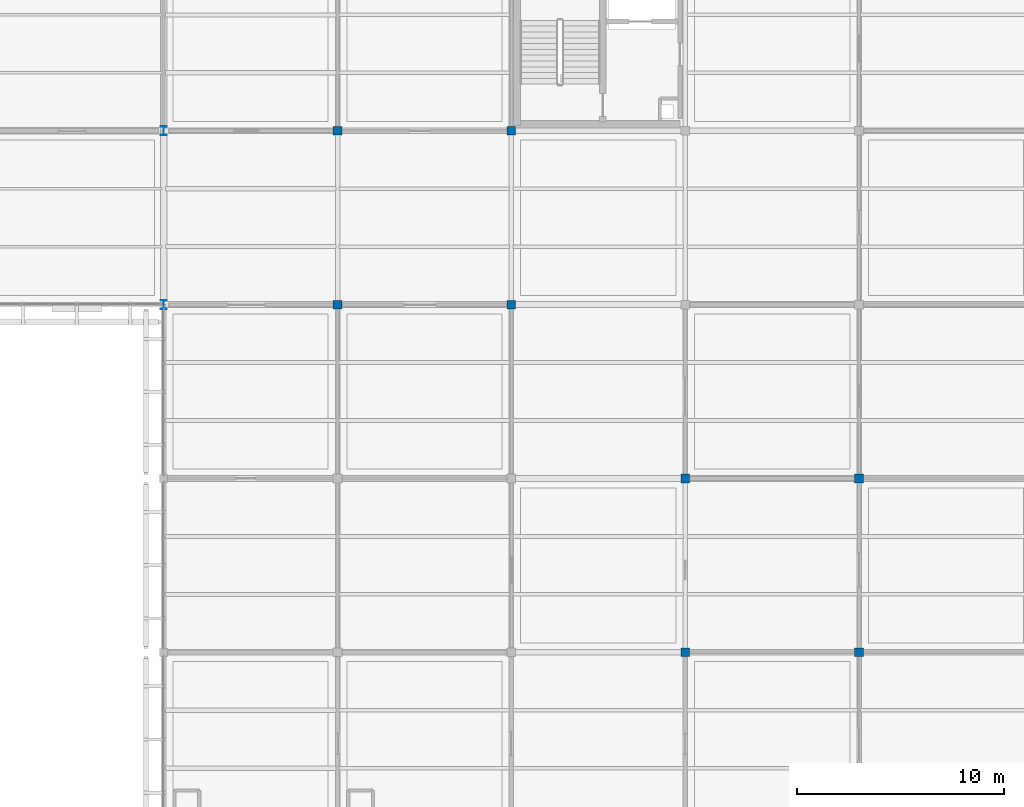
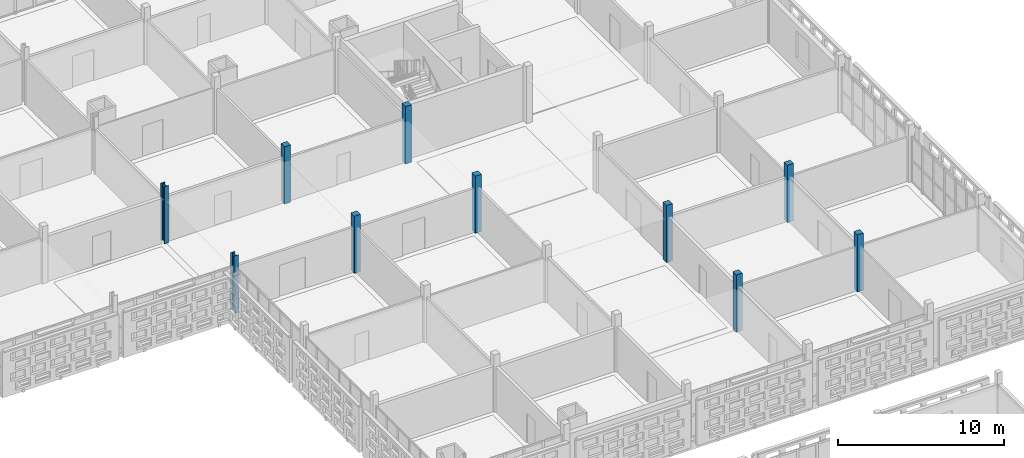
# One storey, part 12 of 166: 10 columns.
"""IFC4 building model written with IfcOpenShell, lengths in metres."""

from ifc_helpers import new_model, si_unit, direction, frame, origin, origin_2d, place, context, subcontext, project, spatial, rectangle, i_section, extrude, material, material_profile, profile_set, type_object, element, save


model = new_model("IFC4")

# Units and contexts
model_context = context("Model", 3, precision=1e-05, world=origin(), true_north=direction((0.0, 1.0)))
body_context = subcontext(model_context, "Body", "Model", "MODEL_VIEW")
ifc_project = project(units=[si_unit("LENGTHUNIT", "METRE"), si_unit("AREAUNIT", "SQUARE_METRE"), si_unit("VOLUMEUNIT", "CUBIC_METRE"), si_unit("PLANEANGLEUNIT", "RADIAN"), si_unit("MASSUNIT", "GRAM", prefix="KILO")], contexts=[model_context])

# Site, building, storey
site_placement = place(None, origin())
site = spatial("IfcSite", under=ifc_project, at=site_placement, CompositionType="ELEMENT")
building_placement = place(site_placement, origin())
building = spatial("IfcBuilding", under=site, at=building_placement, Name="Varnapada Polytechnic", CompositionType="ELEMENT")
storey_placement = place(building_placement, frame((0.0, 0.0, 9.60009765625)))
storey = spatial("IfcBuildingStorey", under=building, at=storey_placement, Name="L02", CompositionType="ELEMENT", Elevation=9.60009765625)

# Columns
ifc_material_1 = material(Name="Steel S355", Category="steel")
ifc_material_profile_1 = material_profile(ifc_material_1, i_section(OverallWidth=0.300048828125, OverallDepth=0.449951171875, WebThickness=0.013916015625, FlangeThickness=0.02587890625, FilletRadius=0.027099609375, at=origin_2d()), Name="HEB 450")
ifc_profile_set_1 = profile_set([ifc_material_profile_1], Name="Steel S355")
column_type_1 = type_object("IfcColumnType", Name="Column C-07 (HEB 450)", PredefinedType="COLUMN", material=ifc_profile_set_1)
column_1_placement = place(storey_placement, frame((134.39990234375, 92.39990234375, 0.0), z_axis=(0.0, 0.0, 1.0), x_axis=(1.0, 0.0, 0.0)))
element("IfcColumn", 1, at=column_1_placement, inside=storey, type_object=column_type_1, Name="L02 column 17/12", PredefinedType="COLUMN", context=body_context, shape_type="SweptSolid", body=[
    extrude(i_section(OverallWidth=0.300048828125, OverallDepth=0.449951171875, WebThickness=0.013916015625, FlangeThickness=0.02587890625, FilletRadius=0.027099609375, at=origin_2d()), origin(), (0.0, 0.0, 1.0), 4.199951171875),
])
ifc_material_2 = material(Name="Glulam GL32h", Category="wood")
ifc_material_profile_2 = material_profile(ifc_material_2, rectangle(XDim=0.419921875, YDim=0.419921875, at=origin_2d()), Name="GL 420x420")
ifc_profile_set_2 = profile_set([ifc_material_profile_2], Name="Glulam GL32h")
column_type_2 = type_object("IfcColumnType", Name="Column C-23 (GL 420x420)", PredefinedType="COLUMN", material=ifc_profile_set_2)
for number, where, z_axis, x_axis, name in (
    (2, (142.800048828125, 84.0, 0.0), (0.0, 0.0, 1.0), (1.0, 0.0, 0.0), "L02 column 18/11"),
    (3, (142.800048828125, 92.39990234375, 0.0), (0.0, 0.0, 1.0), (1.0, 0.0, 0.0), "L02 column 18/12"),
    (4, (151.199951171875, 84.0, 0.0), (0.0, 0.0, 1.0), (1.0, 0.0, 0.0), "L02 column 19/11"),
    (5, (151.199951171875, 92.39990234375, 0.0), (0.0, 0.0, 1.0), (1.0, 0.0, 0.0), "L02 column 19/12"),
    (6, (159.60009765625, 67.199951171875, 0.0), (0.0, 0.0, 1.0), (1.0, 0.0, 0.0), "L02 column 20/9"),
    (7, (159.60009765625, 75.60009765625, 0.0), (0.0, 0.0, 1.0), (1.0, 0.0, 0.0), "L02 column 20/10"),
    (8, (168.0, 67.199951171875, 0.0), (0.0, 0.0, 1.0), (1.0, 0.0, 0.0), "L02 column 21/9"),
    (9, (168.0, 75.60009765625, 0.0), (0.0, 0.0, 1.0), (1.0, 0.0, 0.0), "L02 column 21/10"),
):
    element("IfcColumn", number, at=place(storey_placement, frame(where, z_axis=z_axis, x_axis=x_axis)), inside=storey, type_object=column_type_2, Name=name, PredefinedType="COLUMN", context=body_context, shape_type="SweptSolid", body=[
        extrude(rectangle(XDim=0.419921875, YDim=0.419921875, at=origin_2d()), origin(), (0.0, 0.0, 1.0), 4.199951171875),
    ])
ifc_material_profile_3 = material_profile(ifc_material_1, i_section(OverallWidth=0.300048828125, OverallDepth=0.43994140625, WebThickness=0.011474609375, FlangeThickness=0.02099609375, FilletRadius=0.027099609375, at=origin_2d()), Name="HEA 450")
ifc_profile_set_3 = profile_set([ifc_material_profile_3], Name="Steel S355")
column_type_3 = type_object("IfcColumnType", Name="Column C-30 (HEA 450)", PredefinedType="COLUMN", material=ifc_profile_set_3)
column_2_placement = place(storey_placement, frame((134.39990234375, 84.0, 0.0), z_axis=(0.0, 0.0, 1.0), x_axis=(1.0, 0.0, 0.0)))
element("IfcColumn", 10, at=column_2_placement, inside=storey, type_object=column_type_3, Name="L02 column 17/11", PredefinedType="COLUMN", context=body_context, shape_type="SweptSolid", body=[
    extrude(i_section(OverallWidth=0.300048828125, OverallDepth=0.43994140625, WebThickness=0.011474609375, FlangeThickness=0.02099609375, FilletRadius=0.027099609375, at=origin_2d()), origin(), (0.0, 0.0, 1.0), 4.199951171875),
])

save(model, "model.ifc")
